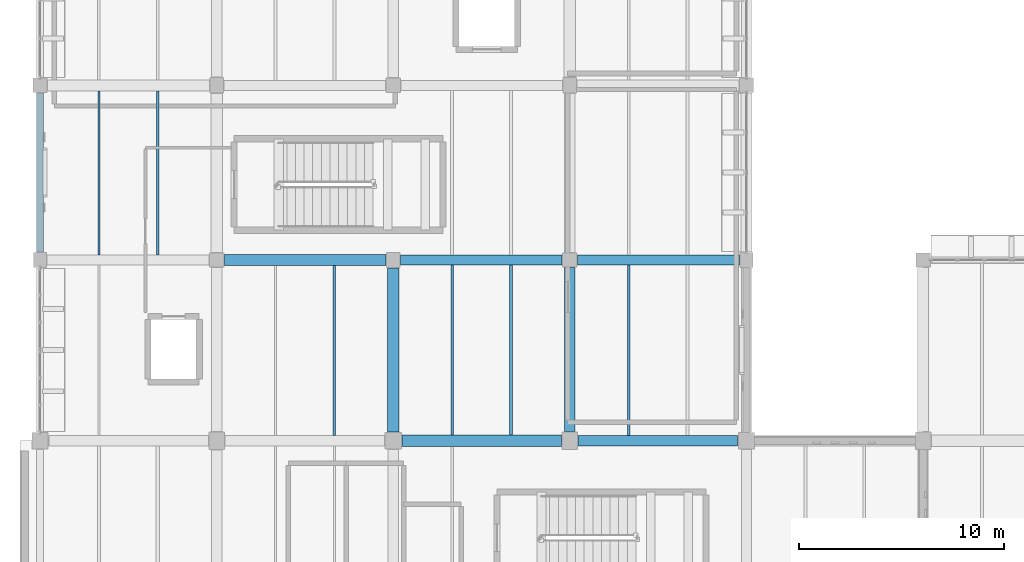
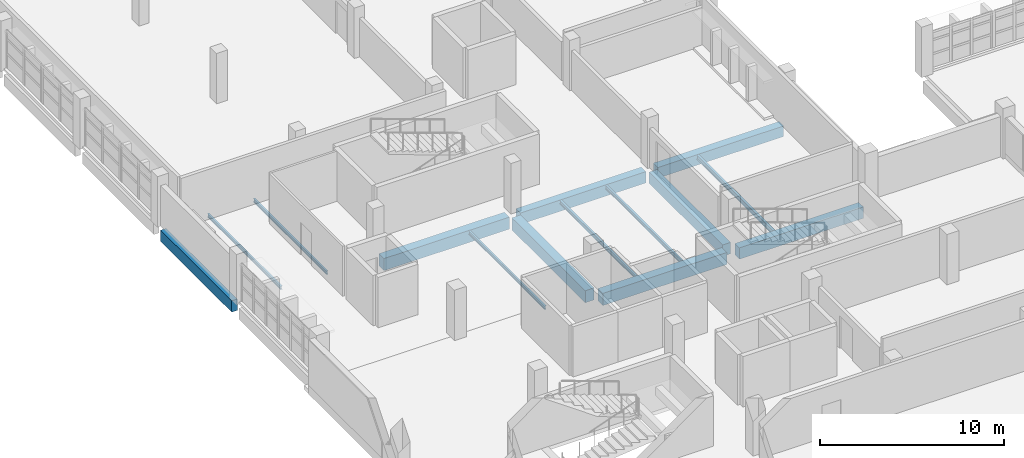
# One storey, part 13 of 75: 14 beams.
"""IFC4 building model written with IfcOpenShell, lengths in metres."""

from ifc_helpers import new_model, si_unit, direction, frame, origin, origin_2d, place, context, subcontext, project, spatial, rectangle, i_section, extrude, material, material_profile, profile_set, type_object, element, save


model = new_model("IFC4")

# Units and contexts
model_context = context("Model", 3, precision=1e-05, world=origin(), true_north=direction((0.0, 1.0)))
body_context = subcontext(model_context, "Body", "Model", "MODEL_VIEW")
ifc_project = project(units=[si_unit("LENGTHUNIT", "METRE"), si_unit("AREAUNIT", "SQUARE_METRE"), si_unit("VOLUMEUNIT", "CUBIC_METRE"), si_unit("PLANEANGLEUNIT", "RADIAN"), si_unit("MASSUNIT", "GRAM", prefix="KILO")], contexts=[model_context])

# Site, building, storey
site_placement = place(None, origin())
site = spatial("IfcSite", under=ifc_project, at=site_placement, CompositionType="ELEMENT")
building_placement = place(site_placement, origin())
building = spatial("IfcBuilding", under=site, at=building_placement, Name="Varnakota Cinema and Media Centre", CompositionType="ELEMENT")
storey_placement = place(building_placement, frame((0.0, 0.0, 8.39990234375)))
storey = spatial("IfcBuildingStorey", under=building, at=storey_placement, Name="L02", CompositionType="ELEMENT", Elevation=8.39990234375)

# Beams
ifc_material_1 = material(Name="Concrete M35", Category="concrete")
ifc_material_profile_1 = material_profile(ifc_material_1, rectangle(XDim=0.5, YDim=0.699951171875, at=origin_2d()), Name="RCB 500x700")
ifc_profile_set_1 = profile_set([ifc_material_profile_1], Name="Concrete M35")
beam_type_1 = type_object("IfcBeamType", Name="BM-RC-500x700", PredefinedType="BEAM", material=ifc_profile_set_1)
beam_1_placement = place(storey_placement, frame((26.175048828125, 44.0, -0.599853515625), z_axis=(1.0, 0.0, 0.0), x_axis=(0.0, 1.0, 0.0)))
element("IfcBeam", 1, at=beam_1_placement, inside=storey, type_object=beam_type_1, Name="L02 girder D-E/6", PredefinedType="BEAM", context=body_context, shape_type="SweptSolid", body=[
    extrude(rectangle(XDim=0.5, YDim=0.699951171875, at=origin_2d()), origin(), (0.0, 0.0, 1.0), 7.875),
])
ifc_material_2 = material(Name="Concrete M35", Category="concrete")
ifc_material_profile_2 = material_profile(ifc_material_2, rectangle(XDim=0.5, YDim=0.75, at=origin_2d()), Name="RCB 500x750")
ifc_profile_set_2 = profile_set([ifc_material_profile_2], Name="Concrete M35")
beam_type_2 = type_object("IfcBeamType", Name="BM-RC-500x750", PredefinedType="BEAM", material=ifc_profile_set_2)
beam_2_placement = place(storey_placement, frame((26.199951171875, 35.199951171875, -0.625), z_axis=(1.0, 0.0, 0.0), x_axis=(0.0, 1.0, 0.0)))
element("IfcBeam", 2, at=beam_2_placement, inside=storey, type_object=beam_type_2, Name="L02 girder D-E/5", PredefinedType="BEAM", context=body_context, shape_type="SweptSolid", body=[
    extrude(rectangle(XDim=0.5, YDim=0.75, at=origin_2d()), origin(), (0.0, 0.0, 1.0), 7.775146484375),
])
beam_3_placement = place(storey_placement, frame((17.550048828125, 44.0, -0.625), z_axis=(1.0, 0.0, 0.0), x_axis=(0.0, 1.0, 0.0)))
element("IfcBeam", 3, at=beam_3_placement, inside=storey, type_object=beam_type_2, Name="L02 girder C-D/6", PredefinedType="BEAM", context=body_context, shape_type="SweptSolid", body=[
    extrude(rectangle(XDim=0.5, YDim=0.75, at=origin_2d()), origin(), (0.0, 0.0, 1.0), 7.875),
])
beam_4_placement = place(storey_placement, frame((25.800048828125, 35.64990234375, -0.625), z_axis=(0.0, 1.0, 0.0), x_axis=(-1.0, 0.0, 0.0)))
element("IfcBeam", 4, at=beam_4_placement, inside=storey, type_object=beam_type_2, Name="L02 girder D/5-6", PredefinedType="BEAM", context=body_context, shape_type="SweptSolid", body=[
    extrude(rectangle(XDim=0.5, YDim=0.75, at=origin_2d()), origin(), (0.0, 0.0, 1.0), 7.97509765625),
])
ifc_material_3 = material(Name="Concrete M35", Category="concrete")
ifc_material_profile_3 = material_profile(ifc_material_3, rectangle(XDim=0.550048828125, YDim=0.800048828125, at=origin_2d()), Name="RCB 550x800")
ifc_profile_set_3 = profile_set([ifc_material_profile_3], Name="Concrete M35")
beam_type_3 = type_object("IfcBeamType", Name="BM-RC-550x800", PredefinedType="BEAM", material=ifc_profile_set_3)
beam_5_placement = place(storey_placement, frame((17.625, 35.199951171875, -0.64990234375), z_axis=(1.0, 0.0, 0.0), x_axis=(0.0, 1.0, 0.0)))
element("IfcBeam", 5, at=beam_5_placement, inside=storey, type_object=beam_type_3, Name="L02 girder C-D/5", PredefinedType="BEAM", context=body_context, shape_type="SweptSolid", body=[
    extrude(rectangle(XDim=0.550048828125, YDim=0.800048828125, at=origin_2d()), origin(), (0.0, 0.0, 1.0), 7.77490234375),
])
beam_6_placement = place(storey_placement, frame((8.97509765625, 44.0, -0.64990234375), z_axis=(1.0, 0.0, 0.0), x_axis=(0.0, 1.0, 0.0)))
element("IfcBeam", 6, at=beam_6_placement, inside=storey, type_object=beam_type_3, Name="L02 girder B-C/6", PredefinedType="BEAM", context=body_context, shape_type="SweptSolid", body=[
    extrude(rectangle(XDim=0.550048828125, YDim=0.800048828125, at=origin_2d()), origin(), (0.0, 0.0, 1.0), 7.875),
])
beam_7_placement = place(storey_placement, frame((17.199951171875, 35.625, -0.64990234375), z_axis=(0.0, 1.0, 0.0), x_axis=(-1.0, 0.0, 0.0)))
element("IfcBeam", 7, at=beam_7_placement, inside=storey, type_object=beam_type_3, Name="L02 girder C/5-6", PredefinedType="BEAM", context=body_context, shape_type="SweptSolid", body=[
    extrude(rectangle(XDim=0.550048828125, YDim=0.800048828125, at=origin_2d()), origin(), (0.0, 0.0, 1.0), 7.97509765625),
])
ifc_material_4 = material(Name="Concrete M40", Category="concrete")
ifc_material_profile_4 = material_profile(ifc_material_4, rectangle(XDim=0.35009765625, YDim=0.75, at=origin_2d()), Name="RCB 350x750")
ifc_profile_set_4 = profile_set([ifc_material_profile_4], Name="Concrete M40")
beam_type_4 = type_object("IfcBeamType", Name="BM-SP-350x750", PredefinedType="SPANDREL", material=ifc_profile_set_4)
beam_8_placement = place(storey_placement, frame((0.0, 44.39990234375, -0.625), z_axis=(0.0, 1.0, 0.0), x_axis=(-1.0, 0.0, 0.0)))
element("IfcBeam", 8, at=beam_8_placement, inside=storey, type_object=beam_type_4, Name="L02 girder A/6-7", PredefinedType="SPANDREL", context=body_context, shape_type="SweptSolid", body=[
    extrude(rectangle(XDim=0.35009765625, YDim=0.75, at=origin_2d()), origin(), (0.0, 0.0, 1.0), 7.72509765625),
])
ifc_material_5 = material(Name="Structural steel Grade 350 (E350)", Category="steel")
ifc_material_profile_5 = material_profile(ifc_material_5, i_section(OverallWidth=0.110107421875, OverallDepth=0.22509765625, WebThickness=0.006591796875, FlangeThickness=0.01171875, FilletRadius=0.011962890625, at=origin_2d()), Name="ISMB 225")
ifc_profile_set_5 = profile_set([ifc_material_profile_5], Name="Structural steel Grade 350 (E350)")
beam_type_5 = type_object("IfcBeamType", Name="BM-ST-ISMB225", PredefinedType="JOIST", material=ifc_profile_set_5)
for number, where, z_axis, x_axis, name in (
    (9, (2.86669921875, 44.25, -0.3623046875), (0.0, 1.0, 0.0), (-1.0, 0.0, 0.0), "L02 steel joist A-B/6-7 #1"),
    (10, (5.7333984375, 44.25, -0.3623046875), (0.0, 1.0, 0.0), (-1.0, 0.0, 0.0), "L02 steel joist A-B/6-7 #2"),
):
    element("IfcBeam", number, at=place(storey_placement, frame(where, z_axis=z_axis, x_axis=x_axis)), inside=storey, type_object=beam_type_5, Name=name, PredefinedType="JOIST", context=body_context, shape_type="SweptSolid", body=[
        extrude(i_section(OverallWidth=0.110107421875, OverallDepth=0.22509765625, WebThickness=0.006591796875, FlangeThickness=0.01171875, FilletRadius=0.011962890625, at=origin_2d()), origin(), (0.0, 0.0, 1.0), 7.97509765625),
    ])
beam_9_placement = place(storey_placement, frame((14.333251953125, 35.449951171875, -0.3623046875), z_axis=(0.0, 1.0, 0.0), x_axis=(-1.0, 0.0, 0.0)))
element("IfcBeam", 11, at=beam_9_placement, inside=storey, type_object=beam_type_5, Name="L02 steel joist B-C/5-6 #2", PredefinedType="JOIST", context=body_context, shape_type="SweptSolid", body=[
    extrude(i_section(OverallWidth=0.110107421875, OverallDepth=0.22509765625, WebThickness=0.006591796875, FlangeThickness=0.01171875, FilletRadius=0.011962890625, at=origin_2d()), origin(), (0.0, 0.0, 1.0), 8.275146484375),
])
ifc_material_6 = material(Name="Structural steel Grade 350 (E350)", Category="steel")
ifc_material_profile_6 = material_profile(ifc_material_6, i_section(OverallWidth=0.125, OverallDepth=0.25, WebThickness=0.0068359375, FlangeThickness=0.012451171875, FilletRadius=0.012939453125, at=origin_2d()), Name="ISMB 250")
ifc_profile_set_6 = profile_set([ifc_material_profile_6], Name="Structural steel Grade 350 (E350)")
beam_type_6 = type_object("IfcBeamType", Name="BM-ST-ISMB250", PredefinedType="JOIST", material=ifc_profile_set_6)
for number, where, z_axis, x_axis, name in (
    (12, (20.066650390625, 35.47509765625, -0.375), (0.0, 1.0, 0.0), (-1.0, 0.0, 0.0), "L02 steel joist C-D/5-6 #1"),
    (13, (22.933349609375, 35.47509765625, -0.375), (0.0, 1.0, 0.0), (-1.0, 0.0, 0.0), "L02 steel joist C-D/5-6 #2"),
):
    element("IfcBeam", number, at=place(storey_placement, frame(where, z_axis=z_axis, x_axis=x_axis)), inside=storey, type_object=beam_type_6, Name=name, PredefinedType="JOIST", context=body_context, shape_type="SweptSolid", body=[
        extrude(i_section(OverallWidth=0.125, OverallDepth=0.25, WebThickness=0.0068359375, FlangeThickness=0.012451171875, FilletRadius=0.012939453125, at=origin_2d()), origin(), (0.0, 0.0, 1.0), 8.27490234375),
    ])
ifc_material_7 = material(Name="Structural steel Grade 350 (E350)", Category="steel")
ifc_material_profile_7 = material_profile(ifc_material_7, i_section(OverallWidth=0.139892578125, OverallDepth=0.300048828125, WebThickness=0.0078125, FlangeThickness=0.01318359375, FilletRadius=0.013916015625, at=origin_2d()), Name="ISMB 300")
ifc_profile_set_7 = profile_set([ifc_material_profile_7], Name="Structural steel Grade 350 (E350)")
beam_type_7 = type_object("IfcBeamType", Name="BM-ST-ISMB300", PredefinedType="JOIST", material=ifc_profile_set_7)
beam_10_placement = place(storey_placement, frame((28.666748046875, 35.449951171875, -0.39990234375), z_axis=(0.0, 1.0, 0.0), x_axis=(-1.0, 0.0, 0.0)))
element("IfcBeam", 14, at=beam_10_placement, inside=storey, type_object=beam_type_7, Name="L02 steel joist D-E/5-6 #1", PredefinedType="JOIST", context=body_context, shape_type="SweptSolid", body=[
    extrude(i_section(OverallWidth=0.139892578125, OverallDepth=0.300048828125, WebThickness=0.0078125, FlangeThickness=0.01318359375, FilletRadius=0.013916015625, at=origin_2d()), origin(), (0.0, 0.0, 1.0), 8.300048828125),
])

save(model, "model.ifc")
